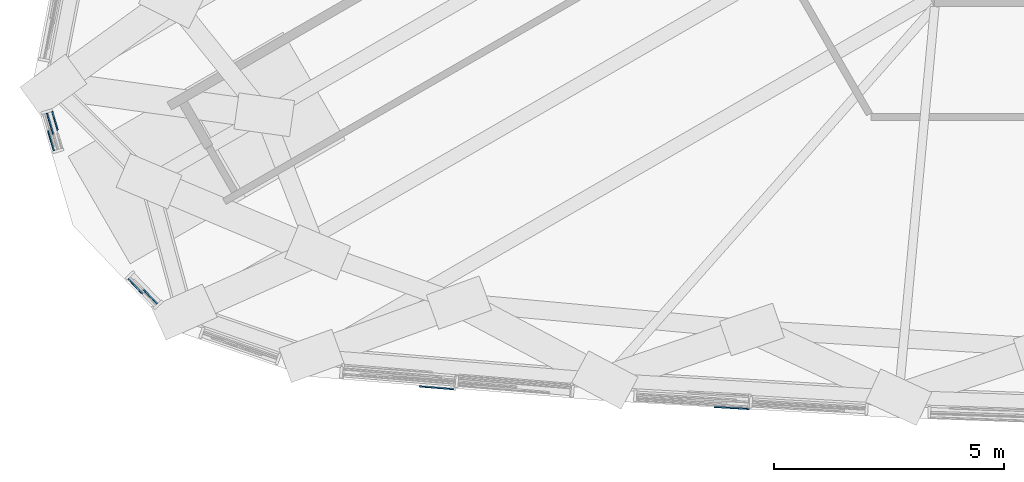
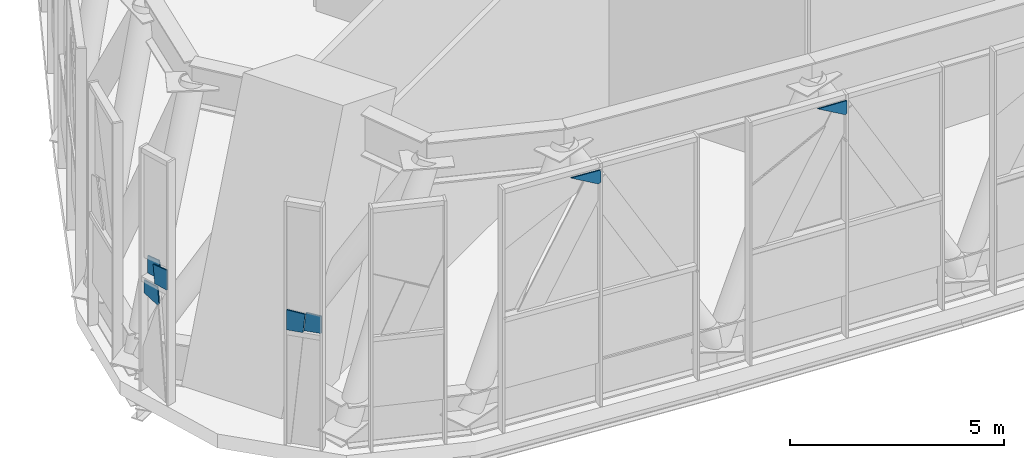
# One storey, part 18 of 33: 7 plates, 2 elements without a shape of their own.
"""IFC4 building model written with IfcOpenShell, lengths in metres."""

from ifc_helpers import new_model, si_unit, direction, frame, origin, place, context, subcontext, project, spatial, polyline, outline, extrude, material, layer, layer_set, type_object, element, aggregate, save


model = new_model("IFC4")

# Units and contexts
model_context = context("Model", 3, precision=1e-05, world=origin(), true_north=direction((0.0, 1.0)))
body_context = subcontext(model_context, "Body", "Model", "MODEL_VIEW")
ifc_project = project(units=[si_unit("LENGTHUNIT", "METRE"), si_unit("AREAUNIT", "SQUARE_METRE"), si_unit("VOLUMEUNIT", "CUBIC_METRE"), si_unit("PLANEANGLEUNIT", "RADIAN"), si_unit("MASSUNIT", "GRAM", prefix="KILO")], contexts=[model_context])

# Site, building, storey
site_placement = place(None, origin())
site = spatial("IfcSite", under=ifc_project, at=site_placement, CompositionType="ELEMENT")
building_placement = place(site_placement, origin())
building = spatial("IfcBuilding", under=site, at=building_placement, Name="Mestral Congress Tower", CompositionType="ELEMENT")
storey_placement = place(building_placement, frame((0.0, 0.0, 134.39990234375)))
storey = spatial("IfcBuildingStorey", under=building, at=storey_placement, Name="L32", CompositionType="ELEMENT", Elevation=134.39990234375)

# Curtain wall, plates
ifc_material_1 = material(Name="Clear low-emissivity double glazing", Category="glass")
curtain_wall_type = type_object("IfcCurtainWallType", Name="Facade sky lobby curtain wall", PredefinedType="USERDEFINED", material=ifc_material_1)
placement = place(storey_placement, origin())
curtain_wall_1 = element("IfcCurtainWall", 1, at=placement, inside=storey, type_object=curtain_wall_type, Name="Facade sky lobby curtain wall corner 3", ObjectType="CURTAIN WALL", PredefinedType="USERDEFINED")
ifc_material_2 = material(Name="Anodised aluminium", Category="aluminium")
ifc_layer_1 = layer(ifc_material_2, 0.031982421875)
ifc_layer_set_1 = layer_set([ifc_layer_1], Name="Anodised aluminium")
plate_type_1 = type_object("IfcPlateType", Name="Facade sky lobby curtain wall brace cover panel", PredefinedType="CURTAIN_PANEL", material=ifc_layer_set_1)
plate_1_placement = place(storey_placement, frame((-31.181396484375, -16.1357421875, 3.27001953125), z_axis=(-0.959614783639, -0.281311018781, 0.00189149008), x_axis=(-0.281311522107, 0.959616500239, -5.2997e-08)))
plate_1 = element("IfcPlate", 2, at=plate_1_placement, type_object=plate_type_1, Name="Facade sky lobby curtain wall brace cover panel", PredefinedType="CURTAIN_PANEL", context=body_context, shape_type="SweptSolid", body=[
    extrude(outline(polyline([(0.0, 0.0), (0.39918007545002593, 2.710505431213761e-20), (0.44951073717338536, -0.5312509741612804), (0.00019381404178699937, -0.5739756149969283), (0.0, 0.0)])), origin(), (0.0, 0.0, -1.0), 0.031982421875),
])
plate_2_placement = place(storey_placement, frame((-29.560302734375, -18.931884765625, 3.27001953125), z_axis=(-0.723663490318, -0.690149556764, 0.002177631308), x_axis=(0.001748959134, 0.001321406637, 0.99999759751)))
plate_2 = element("IfcPlate", 3, at=plate_2_placement, type_object=plate_type_1, Name="Facade sky lobby curtain wall brace cover panel", PredefinedType="CURTAIN_PANEL", context=body_context, shape_type="SweptSolid", body=[
    extrude(outline(polyline([(0.0, 0.0), (0.5739759062019656, -8.131516293641283e-20), (0.5313639640375557, -0.4493305420717446), (0.00010000045187058841, -0.3990689534741224), (0.0, 0.0)])), origin(), (0.0, 0.0, -1.0), 0.031982421875),
])

curtain_wall_2 = element("IfcCurtainWall", 4, at=placement, inside=storey, type_object=curtain_wall_type, Name="Facade sky lobby curtain wall face 1", ObjectType="CURTAIN WALL", PredefinedType="USERDEFINED")
ifc_layer_2 = layer(ifc_material_1, 0.031982421875)
ifc_layer_set_2 = layer_set([ifc_layer_2], Name="Clear low-emissivity double glazing")
plate_type_2 = type_object("IfcPlateType", Name="Facade sky lobby curtain wall panel", PredefinedType="CURTAIN_PANEL", material=ifc_layer_set_2)
plate_3_placement = place(storey_placement, frame((-22.44580078125, -21.335693359375, 6.81005859375), z_axis=(-0.081523069542, -0.99666912221, 0.002156377763), x_axis=(-4.136371e-06, -0.002163240999, -0.999997660183)))
plate_3 = element("IfcPlate", 5, at=plate_3_placement, type_object=plate_type_2, Name="Sky lobby glass unit", PredefinedType="CURTAIN_PANEL", context=body_context, shape_type="SweptSolid", body=[
    extrude(outline(polyline([(0.0, 0.0), (0.3466804607379668, -6.776263578034403e-21), (0.3849991069079996, -0.06711633850696318), (-0.00013462179602354016, -0.781410989987444), (0.0, 0.0)])), origin(), (0.0, 0.0, -1.0), 0.031982421875),
])
plate_4_placement = place(storey_placement, frame((-16.046630859375, -21.76416015625, 6.81005859375), z_axis=(-0.058371839225, -0.998292494822, 0.00219617123), x_axis=(-1.2651564e-05, -0.00219918254, -0.999997581715)))
plate_4 = element("IfcPlate", 6, at=plate_4_placement, type_object=plate_type_2, Name="Sky lobby glass unit", PredefinedType="CURTAIN_PANEL", context=body_context, shape_type="SweptSolid", body=[
    extrude(outline(polyline([(0.0, 0.0), (0.3693854830768068, -6.776263578034403e-21), (0.3918420375396543, -0.03985792579333532), (-8.812080412429354e-05, -0.7598452004065437), (0.0, 0.0)])), origin(), (0.0, 0.0, -1.0), 0.031982421875),
])
aggregate(curtain_wall_2, [plate_3, plate_4])

# Plate
plate_5_placement = place(storey_placement, frame((-31.330078125, -15.317138671875, 3.130126953125), z_axis=(-0.959553050321, -0.281520266138, 0.002069630945), x_axis=(0.281520869011, -0.959555105406, -2.8798e-08)))
plate_5 = element("IfcPlate", 7, at=plate_5_placement, type_object=plate_type_2, Name="Sky lobby glass unit", PredefinedType="CURTAIN_PANEL", context=body_context, shape_type="SweptSolid", body=[
    extrude(outline(polyline([(0.0, 0.0), (0.44143609135901496, 0.0), (0.48264567426711613, -0.4338388133990916), (0.45460826210364247, -0.5190440625464767), (2.808494980648791e-05, -0.3684090108906218), (0.0, 0.0)])), origin(), (0.0, 0.0, -1.0), 0.031982421875),
])

plate_6_placement = place(storey_placement, frame((-31.216552734375, -15.283935546875, 3.27001953125), z_axis=(-0.959673097419, -0.281111083176, 0.002026081533), x_axis=(0.001967208469, 0.000491621754, 0.999997944197)))
plate_6 = element("IfcPlate", 8, at=plate_6_placement, type_object=plate_type_2, Name="Sky lobby glass unit", PredefinedType="CURTAIN_PANEL", context=body_context, shape_type="SweptSolid", body=[
    extrude(outline(polyline([(0.0, 0.0), (0.4953623508867228, 4.0657581468206416e-20), (0.5312817519606209, -0.37754624734307113), (3.4774014627645696e-05, -0.42815458513167753), (0.0, 0.0)])), origin(), (0.0, 0.0, -1.0), 0.031982421875),
])

plate_7_placement = place(storey_placement, frame((-28.92919921875, -19.47314453125, 3.765380859375), z_axis=(-0.723361806622, -0.690466327957, 0.001986624961), x_axis=(-0.001649628196, -0.001148995805, -0.999997979266)))
plate_7 = element("IfcPlate", 9, at=plate_7_placement, type_object=plate_type_2, Name="Sky lobby glass unit", PredefinedType="CURTAIN_PANEL", context=body_context, shape_type="SweptSolid", body=[
    extrude(outline(polyline([(0.0, 0.0), (0.49536209638825063, 8.131516293641283e-20), (0.49549412106227986, -0.42807150160633234), (-0.03577265022952746, -0.37783972169302016), (0.0, 0.0)])), origin(), (0.0, 0.0, -1.0), 0.031982421875),
])

aggregate(curtain_wall_1, [plate_5, plate_6, plate_1, plate_7, plate_2])

save(model, "model.ifc")
